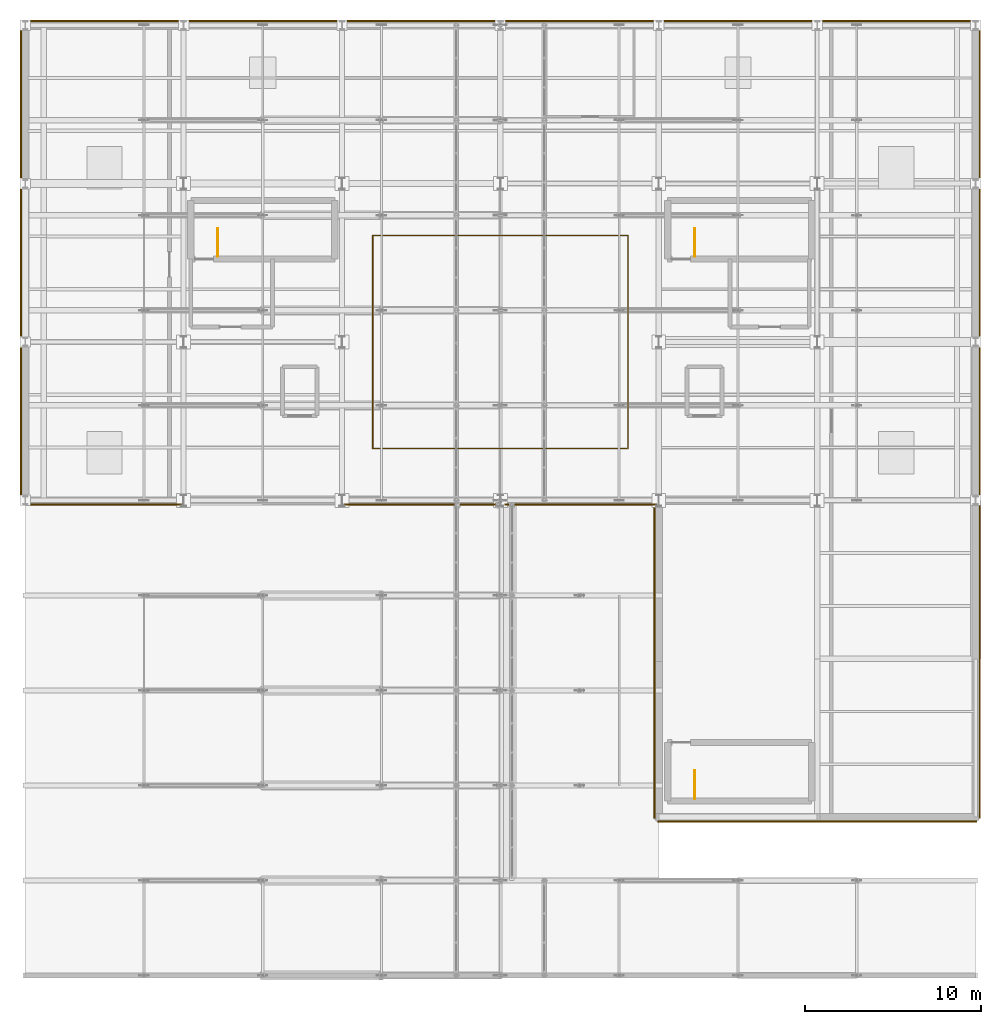
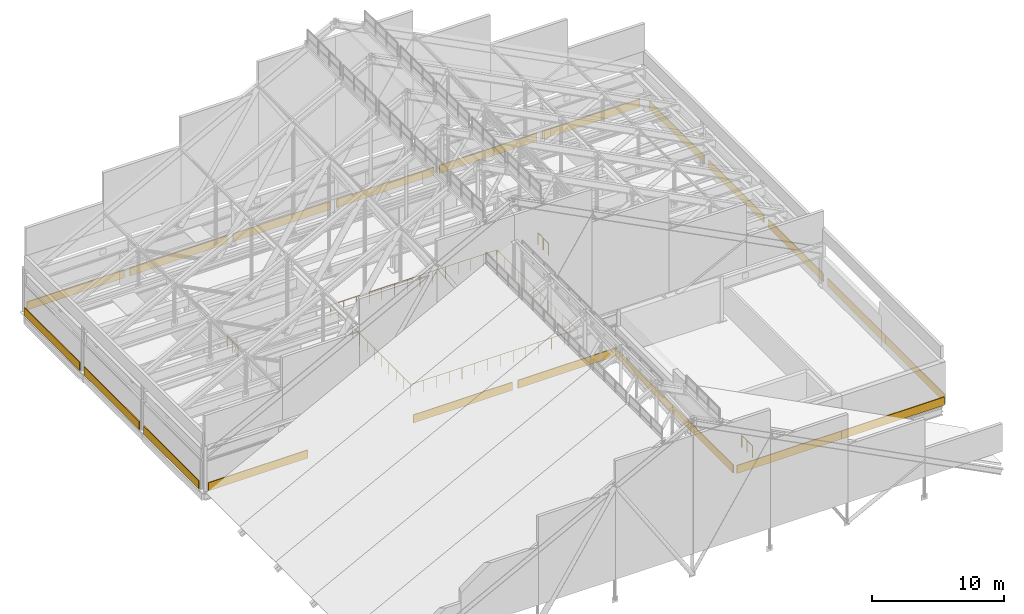
# One storey, part 84 of 84: 21 coverings, 5 railings.
"""IFC4 building model written with IfcOpenShell, lengths in metres."""

from ifc_helpers import new_model, si_unit, direction, frame, origin, origin_2d, place, context, subcontext, project, spatial, rectangle, circle, extrude, material, layer, layer_set, type_object, element, save


model = new_model("IFC4")

# Units and contexts
model_context = context("Model", 3, precision=1e-05, world=origin(), true_north=direction((0.0, 1.0)))
body_context = subcontext(model_context, "Body", "Model", "MODEL_VIEW")
ifc_project = project(units=[si_unit("LENGTHUNIT", "METRE"), si_unit("AREAUNIT", "SQUARE_METRE"), si_unit("VOLUMEUNIT", "CUBIC_METRE"), si_unit("PLANEANGLEUNIT", "RADIAN"), si_unit("MASSUNIT", "GRAM", prefix="KILO")], contexts=[model_context])

# Site, building, storey
site_placement = place(None, origin())
site = spatial("IfcSite", under=ifc_project, at=site_placement, CompositionType="ELEMENT")
building_placement = place(site_placement, origin())
building = spatial("IfcBuilding", under=site, at=building_placement, Name="Sundgate Opera House", CompositionType="ELEMENT")
storey_placement = place(building_placement, frame((0.0, 0.0, 30.60009765625)))
storey = spatial("IfcBuildingStorey", under=building, at=storey_placement, Name="L06", CompositionType="ELEMENT", Elevation=30.60009765625)

# Coverings
ifc_material_1 = material(Name="Deep-carved Komstad limestone relief panel", Category="masonry")
ifc_layer_1 = layer(ifc_material_1, 0.094970703125)
ifc_layer_set_1 = layer_set([ifc_layer_1], Name="Deep-carved Komstad limestone relief panel")
covering_type_1 = type_object("IfcCoveringType", Name="CV-TRENC-DEEP", PredefinedType="CLADDING", material=ifc_layer_set_1)
covering_1_placement = place(storey_placement, frame((49.427490234375, 59.757568359375, 0.044921875), z_axis=(0.0, 0.0, 1.0), x_axis=(1.0, 0.0, 0.0)))
element("IfcCovering", 1, at=covering_1_placement, inside=storey, type_object=covering_type_1, Name="L06 Trencadis 750mm Relief Band CV0098", PredefinedType="CLADDING", context=body_context, shape_type="SweptSolid", body=[
    extrude(rectangle(XDim=8.655029296875, YDim=0.074951171875, at=origin_2d()), origin(), (0.0, 0.0, 1.0), 0.75),
])
covering_2_placement = place(storey_placement, frame((76.5, 41.757568359375, 0.044921875), z_axis=(0.0, 0.0, 1.0), x_axis=(1.0, 0.0, 0.0)))
element("IfcCovering", 2, at=covering_2_placement, inside=storey, type_object=covering_type_1, Name="L06 Trencadis 750mm Relief Band CV0101", PredefinedType="CLADDING", context=body_context, shape_type="SweptSolid", body=[
    extrude(rectangle(XDim=9.1201171875, YDim=0.074951171875, at=origin_2d()), origin(), (0.0, 0.0, 1.0), 0.75),
])
covering_3_placement = place(storey_placement, frame((62.757568359375, 55.419921875, 0.044921875), z_axis=(0.0, 0.0, 1.0), x_axis=(0.0, 1.0, 0.0)))
element("IfcCovering", 3, at=covering_3_placement, inside=storey, type_object=covering_type_1, Name="L06 Trencadis 750mm Relief Band CV0103", PredefinedType="CLADDING", context=body_context, shape_type="SweptSolid", body=[
    extrude(rectangle(XDim=8.9599609375, YDim=0.074951171875, at=origin_2d()), origin(), (0.0, 0.0, 1.0), 0.75),
])
for number, where, z_axis, x_axis, name in (
    (4, (40.5, 87.242431640625, 0.044921875), (0.0, 0.0, 1.0), (1.0, 0.0, 0.0), "L06 Trencadis 750mm Relief Band CV0105"),
    (5, (67.5, 87.242431640625, 0.044921875), (0.0, 0.0, 1.0), (1.0, 0.0, 0.0), "L06 Trencadis 750mm Relief Band CV0108"),
):
    element("IfcCovering", number, at=place(storey_placement, frame(where, z_axis=z_axis, x_axis=x_axis)), inside=storey, type_object=covering_type_1, Name=name, PredefinedType="CLADDING", context=body_context, shape_type="SweptSolid", body=[
        extrude(rectangle(XDim=8.510009765625, YDim=0.074951171875, at=origin_2d()), origin(), (0.0, 0.0, 1.0), 0.75),
    ])
covering_4_placement = place(storey_placement, frame((26.757568359375, 73.5, 0.044921875), z_axis=(0.0, 0.0, 1.0), x_axis=(0.0, 1.0, 0.0)))
element("IfcCovering", 6, at=covering_4_placement, inside=storey, type_object=covering_type_1, Name="L06 Trencadis 750mm Relief Band CV0111", PredefinedType="CLADDING", context=body_context, shape_type="SweptSolid", body=[
    extrude(rectangle(XDim=8.360107421875, YDim=0.074951171875, at=origin_2d()), origin(), (0.0, 0.0, 1.0), 0.75),
])
covering_5_placement = place(storey_placement, frame((81.242431640625, 55.31005859375, 0.044921875), z_axis=(0.0, 0.0, 1.0), x_axis=(0.0, 1.0, 0.0)))
element("IfcCovering", 7, at=covering_5_placement, inside=storey, type_object=covering_type_1, Name="L06 Trencadis 750mm Relief Band CV0114", PredefinedType="CLADDING", context=body_context, shape_type="SweptSolid", body=[
    extrude(rectangle(XDim=8.739990234375, YDim=0.074951171875, at=origin_2d()), origin(), (0.0, 0.0, 1.0), 0.75),
])
covering_6_placement = place(storey_placement, frame((81.242431640625, 82.5, 0.044921875), z_axis=(0.0, 0.0, 1.0), x_axis=(0.0, 1.0, 0.0)))
element("IfcCovering", 8, at=covering_6_placement, inside=storey, type_object=covering_type_1, Name="L06 Trencadis 750mm Relief Band CV0117", PredefinedType="CLADDING", context=body_context, shape_type="SweptSolid", body=[
    extrude(rectangle(XDim=8.360107421875, YDim=0.074951171875, at=origin_2d()), origin(), (0.0, 0.0, 1.0), 0.75),
])
ifc_material_2 = material(Name="Frost-proof vitrified stoneware trencadis relief tile", Category="masonry")
ifc_layer_2 = layer(ifc_material_2, 0.074951171875)
ifc_layer_set_2 = layer_set([ifc_layer_2], Name="Frost-proof vitrified stoneware trencadis relief tile")
covering_type_2 = type_object("IfcCoveringType", Name="CV-TRENC-RELIEF", PredefinedType="CLADDING", material=ifc_layer_set_2)
covering_7_placement = place(storey_placement, frame((31.572509765625, 59.757568359375, 0.044921875), z_axis=(0.0, 0.0, 1.0), x_axis=(1.0, 0.0, 0.0)))
element("IfcCovering", 9, at=covering_7_placement, inside=storey, type_object=covering_type_2, Name="L06 Trencadis 750mm Relief Band CV0097", PredefinedType="CLADDING", context=body_context, shape_type="SweptSolid", body=[
    extrude(rectangle(XDim=8.655029296875, YDim=0.074951171875, at=origin_2d()), origin(), (0.0, 0.0, 1.0), 0.75),
])
for number, where, z_axis, x_axis, name in (
    (10, (67.5, 41.757568359375, 0.044921875), (0.0, 0.0, 1.0), (1.0, 0.0, 0.0), "L06 Trencadis 750mm Relief Band CV0100"),
    (11, (62.757568359375, 46.5, 0.044921875), (0.0, 0.0, 1.0), (0.0, 1.0, 0.0), "L06 Trencadis 750mm Relief Band CV0102"),
):
    element("IfcCovering", number, at=place(storey_placement, frame(where, z_axis=z_axis, x_axis=x_axis)), inside=storey, type_object=covering_type_2, Name=name, PredefinedType="CLADDING", context=body_context, shape_type="SweptSolid", body=[
        extrude(rectangle(XDim=9.1201171875, YDim=0.074951171875, at=origin_2d()), origin(), (0.0, 0.0, 1.0), 0.75),
    ])
for number, where, z_axis, x_axis, name in (
    (12, (31.5, 87.242431640625, 0.044921875), (0.0, 0.0, 1.0), (1.0, 0.0, 0.0), "L06 Trencadis 750mm Relief Band CV0104"),
    (13, (58.5, 87.242431640625, 0.044921875), (0.0, 0.0, 1.0), (1.0, 0.0, 0.0), "L06 Trencadis 750mm Relief Band CV0107"),
):
    element("IfcCovering", number, at=place(storey_placement, frame(where, z_axis=z_axis, x_axis=x_axis)), inside=storey, type_object=covering_type_2, Name=name, PredefinedType="CLADDING", context=body_context, shape_type="SweptSolid", body=[
        extrude(rectangle(XDim=8.510009765625, YDim=0.074951171875, at=origin_2d()), origin(), (0.0, 0.0, 1.0), 0.75),
    ])
covering_8_placement = place(storey_placement, frame((26.757568359375, 64.5, 0.044921875), z_axis=(0.0, 0.0, 1.0), x_axis=(0.0, 1.0, 0.0)))
element("IfcCovering", 14, at=covering_8_placement, inside=storey, type_object=covering_type_2, Name="L06 Trencadis 750mm Relief Band CV0110", PredefinedType="CLADDING", context=body_context, shape_type="SweptSolid", body=[
    extrude(rectangle(XDim=8.360107421875, YDim=0.074951171875, at=origin_2d()), origin(), (0.0, 0.0, 1.0), 0.75),
])
covering_9_placement = place(storey_placement, frame((81.242431640625, 46.5, 0.044921875), z_axis=(0.0, 0.0, 1.0), x_axis=(0.0, 1.0, 0.0)))
element("IfcCovering", 15, at=covering_9_placement, inside=storey, type_object=covering_type_2, Name="L06 Trencadis 750mm Relief Band CV0113", PredefinedType="CLADDING", context=body_context, shape_type="SweptSolid", body=[
    extrude(rectangle(XDim=9.1201171875, YDim=0.074951171875, at=origin_2d()), origin(), (0.0, 0.0, 1.0), 0.75),
])
covering_10_placement = place(storey_placement, frame((81.242431640625, 73.5, 0.044921875), z_axis=(0.0, 0.0, 1.0), x_axis=(0.0, 1.0, 0.0)))
element("IfcCovering", 16, at=covering_10_placement, inside=storey, type_object=covering_type_2, Name="L06 Trencadis 750mm Relief Band CV0116", PredefinedType="CLADDING", context=body_context, shape_type="SweptSolid", body=[
    extrude(rectangle(XDim=8.360107421875, YDim=0.074951171875, at=origin_2d()), origin(), (0.0, 0.0, 1.0), 0.75),
])
ifc_material_3 = material(Name="Polychrome trencadis mosaic panel", Category="masonry")
ifc_layer_3 = layer(ifc_material_3, 0.054931640625)
ifc_layer_set_3 = layer_set([ifc_layer_3], Name="Polychrome trencadis mosaic panel")
covering_type_3 = type_object("IfcCoveringType", Name="CV-TRENC-SLIM", PredefinedType="CLADDING", material=ifc_layer_set_3)
covering_11_placement = place(storey_placement, frame((58.572509765625, 59.757568359375, 0.044921875), z_axis=(0.0, 0.0, 1.0), x_axis=(1.0, 0.0, 0.0)))
element("IfcCovering", 17, at=covering_11_placement, inside=storey, type_object=covering_type_3, Name="L06 Trencadis 750mm Relief Band CV0099", PredefinedType="CLADDING", context=body_context, shape_type="SweptSolid", body=[
    extrude(rectangle(XDim=8.655029296875, YDim=0.074951171875, at=origin_2d()), origin(), (0.0, 0.0, 1.0), 0.75),
])
for number, where, z_axis, x_axis, name in (
    (18, (49.5, 87.242431640625, 0.044921875), (0.0, 0.0, 1.0), (1.0, 0.0, 0.0), "L06 Trencadis 750mm Relief Band CV0106"),
    (19, (76.5, 87.242431640625, 0.044921875), (0.0, 0.0, 1.0), (1.0, 0.0, 0.0), "L06 Trencadis 750mm Relief Band CV0109"),
):
    element("IfcCovering", number, at=place(storey_placement, frame(where, z_axis=z_axis, x_axis=x_axis)), inside=storey, type_object=covering_type_3, Name=name, PredefinedType="CLADDING", context=body_context, shape_type="SweptSolid", body=[
        extrude(rectangle(XDim=8.510009765625, YDim=0.074951171875, at=origin_2d()), origin(), (0.0, 0.0, 1.0), 0.75),
    ])
for number, where, z_axis, x_axis, name in (
    (20, (26.757568359375, 82.5, 0.044921875), (0.0, 0.0, 1.0), (0.0, 1.0, 0.0), "L06 Trencadis 750mm Relief Band CV0112"),
    (21, (81.242431640625, 64.5, 0.044921875), (0.0, 0.0, 1.0), (0.0, 1.0, 0.0), "L06 Trencadis 750mm Relief Band CV0115"),
):
    element("IfcCovering", number, at=place(storey_placement, frame(where, z_axis=z_axis, x_axis=x_axis)), inside=storey, type_object=covering_type_3, Name=name, PredefinedType="CLADDING", context=body_context, shape_type="SweptSolid", body=[
        extrude(rectangle(XDim=8.360107421875, YDim=0.074951171875, at=origin_2d()), origin(), (0.0, 0.0, 1.0), 0.75),
    ])

# Railings
ifc_material_4 = material(Name="Painted steel S275 guardrail", Category="steel")
railing_type = type_object("IfcRailingType", Name="RL-STAIR-GUARD-1100", PredefinedType="GUARDRAIL", material=ifc_material_4)
for number, where, name in (
    (22, (37.949951171875, 73.85009765625, 0.0), "ST-02 Top Well Guardrail RL0089"),
    (23, (65.050048828125, 43.050048828125, 0.0), "ST-03 Top Well Guardrail RL0132"),
    (24, (65.050048828125, 73.85009765625, 0.0), "ST-04 Top Well Guardrail RL0175"),
):
    element("IfcRailing", number, at=place(storey_placement, frame(where)), inside=storey, type_object=railing_type, Name=name, PredefinedType="GUARDRAIL", context=body_context, shape_type="SweptSolid", body=[
        extrude(circle(Radius=0.02392578125, at=origin_2d()), frame((0.0, 0.0, 1.076171875), z_axis=(0.0, 1.0, 0.0), x_axis=(-1.0, 0.0, 0.0)), (0.0, 0.0, 1.0), 1.599853515625),
        extrude(circle(Radius=0.02099609375, at=origin_2d()), origin(), (0.0, 0.0, 1.0), 1.052001953125),
        extrude(circle(Radius=0.02099609375, at=origin_2d()), frame((0.0, 0.7998046875, 0.0)), (0.0, 0.0, 1.0), 1.052001953125),
        extrude(circle(Radius=0.02099609375, at=origin_2d()), frame((0.0, 1.599853515625, 0.0)), (0.0, 0.0, 1.0), 1.052001953125),
    ])
railing_1_placement = place(storey_placement, frame((46.75, 62.949951171875, 0.0)))
element("IfcRailing", 25, at=railing_1_placement, inside=storey, type_object=railing_type, Name="L06 Interior Guardrail RL0314", PredefinedType="GUARDRAIL", context=body_context, shape_type="SweptSolid", body=[
    extrude(circle(Radius=0.02392578125, at=origin_2d()), frame((0.0, 0.0, 1.076171875), z_axis=(1.0, 0.0, 0.0), x_axis=(0.0, 1.0, 0.0)), (0.0, 0.0, 1.0), 14.5),
    extrude(circle(Radius=0.02392578125, at=origin_2d()), frame((14.5, 0.0, 1.076171875), z_axis=(0.0, 1.0, 0.0), x_axis=(-1.0, 0.0, 0.0)), (0.0, 0.0, 1.0), 12.10009765625),
    extrude(circle(Radius=0.02099609375, at=origin_2d()), origin(), (0.0, 0.0, 1.0), 1.052001953125),
    extrude(circle(Radius=0.02099609375, at=origin_2d()), frame((1.115478515625, 0.0, 0.0)), (0.0, 0.0, 1.0), 1.052001953125),
    extrude(circle(Radius=0.02099609375, at=origin_2d()), frame((2.230712890625, 0.0, 0.0)), (0.0, 0.0, 1.0), 1.052001953125),
    extrude(circle(Radius=0.02099609375, at=origin_2d()), frame((3.34619140625, 0.0, 0.0)), (0.0, 0.0, 1.0), 1.052001953125),
    extrude(circle(Radius=0.02099609375, at=origin_2d()), frame((4.46142578125, 0.0, 0.0)), (0.0, 0.0, 1.0), 1.052001953125),
    extrude(circle(Radius=0.02099609375, at=origin_2d()), frame((5.576904296875, 0.0, 0.0)), (0.0, 0.0, 1.0), 1.052001953125),
    extrude(circle(Radius=0.02099609375, at=origin_2d()), frame((6.6923828125, 0.0, 0.0)), (0.0, 0.0, 1.0), 1.052001953125),
    extrude(circle(Radius=0.02099609375, at=origin_2d()), frame((7.8076171875, 0.0, 0.0)), (0.0, 0.0, 1.0), 1.052001953125),
    extrude(circle(Radius=0.02099609375, at=origin_2d()), frame((8.923095703125, 0.0, 0.0)), (0.0, 0.0, 1.0), 1.052001953125),
    extrude(circle(Radius=0.02099609375, at=origin_2d()), frame((10.03857421875, 0.0, 0.0)), (0.0, 0.0, 1.0), 1.052001953125),
    extrude(circle(Radius=0.02099609375, at=origin_2d()), frame((11.15380859375, 0.0, 0.0)), (0.0, 0.0, 1.0), 1.052001953125),
    extrude(circle(Radius=0.02099609375, at=origin_2d()), frame((12.269287109375, 0.0, 0.0)), (0.0, 0.0, 1.0), 1.052001953125),
    extrude(circle(Radius=0.02099609375, at=origin_2d()), frame((13.384521484375, 0.0, 0.0)), (0.0, 0.0, 1.0), 1.052001953125),
    extrude(circle(Radius=0.02099609375, at=origin_2d()), frame((14.5, 0.0, 0.0)), (0.0, 0.0, 1.0), 1.052001953125),
    extrude(circle(Radius=0.02099609375, at=origin_2d()), frame((14.5, 1.10009765625, 0.0)), (0.0, 0.0, 1.0), 1.052001953125),
    extrude(circle(Radius=0.02099609375, at=origin_2d()), frame((14.5, 2.199951171875, 0.0)), (0.0, 0.0, 1.0), 1.052001953125),
    extrude(circle(Radius=0.02099609375, at=origin_2d()), frame((14.5, 3.300048828125, 0.0)), (0.0, 0.0, 1.0), 1.052001953125),
    extrude(circle(Radius=0.02099609375, at=origin_2d()), frame((14.5, 4.400146484375, 0.0)), (0.0, 0.0, 1.0), 1.052001953125),
    extrude(circle(Radius=0.02099609375, at=origin_2d()), frame((14.5, 5.5, 0.0)), (0.0, 0.0, 1.0), 1.052001953125),
    extrude(circle(Radius=0.02099609375, at=origin_2d()), frame((14.5, 6.60009765625, 0.0)), (0.0, 0.0, 1.0), 1.052001953125),
    extrude(circle(Radius=0.02099609375, at=origin_2d()), frame((14.5, 7.699951171875, 0.0)), (0.0, 0.0, 1.0), 1.052001953125),
    extrude(circle(Radius=0.02099609375, at=origin_2d()), frame((14.5, 8.800048828125, 0.0)), (0.0, 0.0, 1.0), 1.052001953125),
    extrude(circle(Radius=0.02099609375, at=origin_2d()), frame((14.5, 9.900146484375, 0.0)), (0.0, 0.0, 1.0), 1.052001953125),
    extrude(circle(Radius=0.02099609375, at=origin_2d()), frame((14.5, 11.0, 0.0)), (0.0, 0.0, 1.0), 1.052001953125),
    extrude(circle(Radius=0.02099609375, at=origin_2d()), frame((14.5, 12.10009765625, 0.0)), (0.0, 0.0, 1.0), 1.052001953125),
])
railing_2_placement = place(storey_placement, frame((61.199951171875, 75.050048828125, 0.0)))
element("IfcRailing", 26, at=railing_2_placement, inside=storey, type_object=railing_type, Name="L06 Interior Guardrail RL0315", PredefinedType="GUARDRAIL", context=body_context, shape_type="SweptSolid", body=[
    extrude(circle(Radius=0.02392578125, at=origin_2d()), frame((0.0, 0.0, 1.076171875), z_axis=(-1.0, 0.0, 0.0), x_axis=(0.0, -1.0, 0.0)), (0.0, 0.0, 1.0), 14.449951171875),
    extrude(circle(Radius=0.02392578125, at=origin_2d()), frame((-14.449951171875, 0.0, 1.076171875), z_axis=(0.0, -1.0, 0.0), x_axis=(1.0, 0.0, 0.0)), (0.0, 0.0, 1.0), 12.050048828125),
    extrude(circle(Radius=0.02099609375, at=origin_2d()), origin(), (0.0, 0.0, 1.0), 1.052001953125),
    extrude(circle(Radius=0.02099609375, at=origin_2d()), frame((-1.111572265625, 0.0, 0.0)), (0.0, 0.0, 1.0), 1.052001953125),
    extrude(circle(Radius=0.02099609375, at=origin_2d()), frame((-2.22314453125, 0.0, 0.0)), (0.0, 0.0, 1.0), 1.052001953125),
    extrude(circle(Radius=0.02099609375, at=origin_2d()), frame((-3.334716796875, 0.0, 0.0)), (0.0, 0.0, 1.0), 1.052001953125),
    extrude(circle(Radius=0.02099609375, at=origin_2d()), frame((-4.446044921875, 0.0, 0.0)), (0.0, 0.0, 1.0), 1.052001953125),
    extrude(circle(Radius=0.02099609375, at=origin_2d()), frame((-5.5576171875, 0.0, 0.0)), (0.0, 0.0, 1.0), 1.052001953125),
    extrude(circle(Radius=0.02099609375, at=origin_2d()), frame((-6.669189453125, 0.0, 0.0)), (0.0, 0.0, 1.0), 1.052001953125),
    extrude(circle(Radius=0.02099609375, at=origin_2d()), frame((-7.78076171875, 0.0, 0.0)), (0.0, 0.0, 1.0), 1.052001953125),
    extrude(circle(Radius=0.02099609375, at=origin_2d()), frame((-8.892333984375, 0.0, 0.0)), (0.0, 0.0, 1.0), 1.052001953125),
    extrude(circle(Radius=0.02099609375, at=origin_2d()), frame((-10.00390625, 0.0, 0.0)), (0.0, 0.0, 1.0), 1.052001953125),
    extrude(circle(Radius=0.02099609375, at=origin_2d()), frame((-11.115234375, 0.0, 0.0)), (0.0, 0.0, 1.0), 1.052001953125),
    extrude(circle(Radius=0.02099609375, at=origin_2d()), frame((-12.226806640625, 0.0, 0.0)), (0.0, 0.0, 1.0), 1.052001953125),
    extrude(circle(Radius=0.02099609375, at=origin_2d()), frame((-13.33837890625, 0.0, 0.0)), (0.0, 0.0, 1.0), 1.052001953125),
    extrude(circle(Radius=0.02099609375, at=origin_2d()), frame((-14.449951171875, 0.0, 0.0)), (0.0, 0.0, 1.0), 1.052001953125),
    extrude(circle(Radius=0.02099609375, at=origin_2d()), frame((-14.449951171875, -1.095458984375, 0.0)), (0.0, 0.0, 1.0), 1.052001953125),
    extrude(circle(Radius=0.02099609375, at=origin_2d()), frame((-14.449951171875, -2.19091796875, 0.0)), (0.0, 0.0, 1.0), 1.052001953125),
    extrude(circle(Radius=0.02099609375, at=origin_2d()), frame((-14.449951171875, -3.286376953125, 0.0)), (0.0, 0.0, 1.0), 1.052001953125),
    extrude(circle(Radius=0.02099609375, at=origin_2d()), frame((-14.449951171875, -4.3818359375, 0.0)), (0.0, 0.0, 1.0), 1.052001953125),
    extrude(circle(Radius=0.02099609375, at=origin_2d()), frame((-14.449951171875, -5.477294921875, 0.0)), (0.0, 0.0, 1.0), 1.052001953125),
    extrude(circle(Radius=0.02099609375, at=origin_2d()), frame((-14.449951171875, -6.57275390625, 0.0)), (0.0, 0.0, 1.0), 1.052001953125),
    extrude(circle(Radius=0.02099609375, at=origin_2d()), frame((-14.449951171875, -7.668212890625, 0.0)), (0.0, 0.0, 1.0), 1.052001953125),
    extrude(circle(Radius=0.02099609375, at=origin_2d()), frame((-14.449951171875, -8.763671875, 0.0)), (0.0, 0.0, 1.0), 1.052001953125),
    extrude(circle(Radius=0.02099609375, at=origin_2d()), frame((-14.449951171875, -9.859130859375, 0.0)), (0.0, 0.0, 1.0), 1.052001953125),
    extrude(circle(Radius=0.02099609375, at=origin_2d()), frame((-14.449951171875, -10.95458984375, 0.0)), (0.0, 0.0, 1.0), 1.052001953125),
    extrude(circle(Radius=0.02099609375, at=origin_2d()), frame((-14.449951171875, -12.050048828125, 0.0)), (0.0, 0.0, 1.0), 1.052001953125),
])

save(model, "model.ifc")
